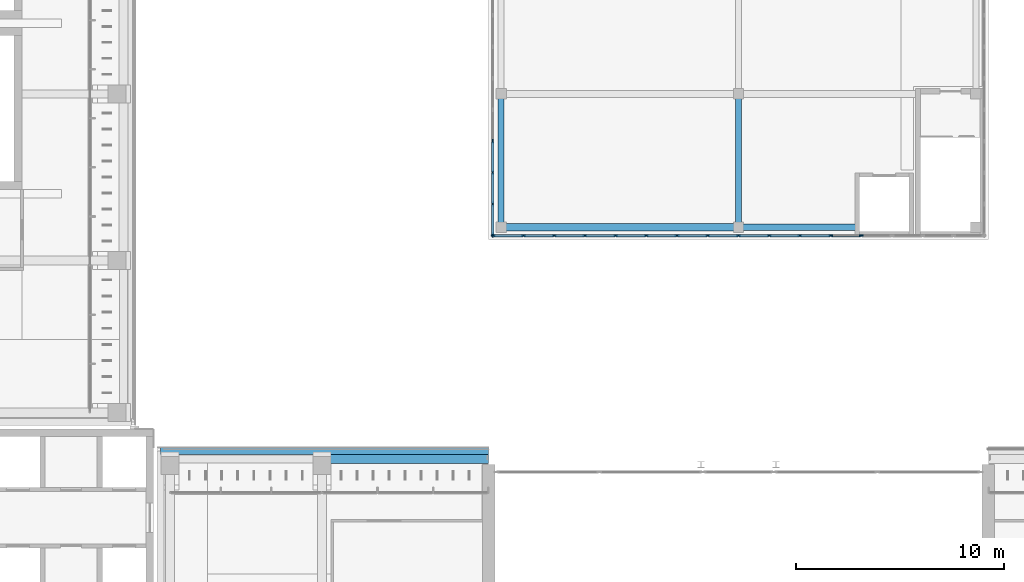
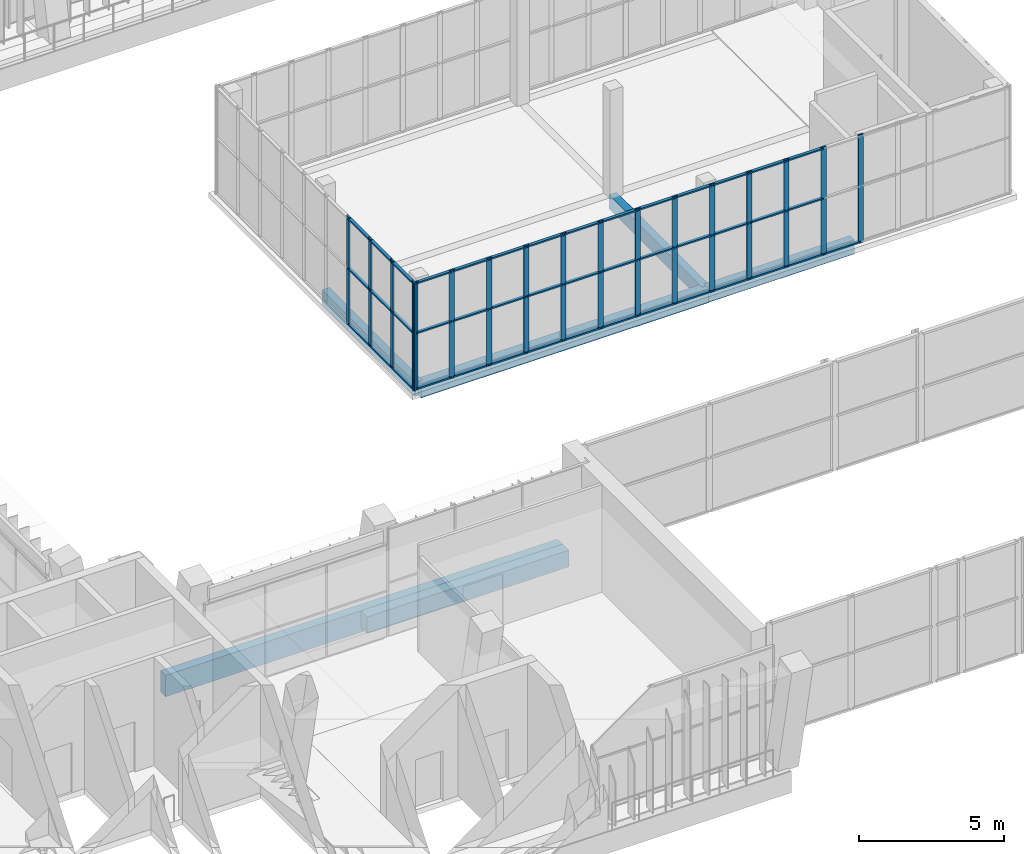
# One storey, part 26 of 92: 60 members, 6 beams, 2 elements without a shape of their own.
"""IFC4 building model written with IfcOpenShell, lengths in metres."""

import ifcopenshell
import ifcopenshell.guid

model = None  # the IFC model being written
_history = None  # IfcOwnerHistory: only IFC2X3 demands one
_inside = {}  # id of a spatial element -> (the spatial element, [elements in it])
_under = {}  # id of a project, library or spatial element -> (it, [spatial elements below it])
_declared = {}  # id of a project -> (the project, [libraries it declares])
_typed = {}  # id of a type object -> (the type object, [elements of that type])
_made_of = {}  # id of a material, layer set ... -> (it, [elements and type objects made of it])


def new_model(schema):
    """Start an empty IFC model of exactly this schema.

    Asked for "IFC4X3", IfcOpenShell would pick the latest addendum, in which some entities
    have other attributes; the version numbers below select the first issue.
    IFC2X3 requires an IfcOwnerHistory on every rooted entity: one is made here for all.
    """
    global model, _history
    if schema == "IFC4X3":
        model = ifcopenshell.file(schema_version=(4, 3, 0, 0))
    else:
        model = ifcopenshell.file(schema=schema)
    _inside.clear()
    _under.clear()
    _declared.clear()
    _typed.clear()
    _made_of.clear()
    _history = None
    if model.schema == "IFC2X3":
        org = make("IfcOrganization", Name="unknown")
        user = make(
            "IfcPersonAndOrganization",
            ThePerson=make("IfcPerson", FamilyName="unknown"),
            TheOrganization=org,
        )
        app = make(
            "IfcApplication",
            ApplicationDeveloper=org,
            Version="unknown",
            ApplicationFullName="unknown",
            ApplicationIdentifier="unknown",
        )
        _history = make(
            "IfcOwnerHistory",
            OwningUser=user,
            OwningApplication=app,
            ChangeAction="ADDED",
            CreationDate=0,
        )
    return model


def make(cls, **values):
    """One entity of the class cls with the attributes given. An attribute that is None is left unset."""
    return model.create_entity(
        cls, **{name: value for name, value in values.items() if value is not None}
    )


def rooted(cls, **values):
    """An entity with a GlobalId (a new one), such as an element, a storey or a relation."""
    return make(cls, GlobalId=ifcopenshell.guid.new(), OwnerHistory=_history, **values)


def si_unit(unit_type, name, prefix=None):
    """IfcSIUnit, for example si_unit("LENGTHUNIT", "METRE", prefix="MILLI")."""
    return make("IfcSIUnit", UnitType=unit_type, Prefix=prefix, Name=name)


def assignment(units):
    """IfcUnitAssignment: the units of a project."""
    return None if units is None else make("IfcUnitAssignment", Units=units)


def point(xyz):
    """IfcCartesianPoint."""
    return None if xyz is None else make("IfcCartesianPoint", Coordinates=xyz)


def direction(xyz):
    """IfcDirection."""
    return None if xyz is None else make("IfcDirection", DirectionRatios=xyz)


def frame(location, z_axis=None, x_axis=None):
    """IfcAxis2Placement3D, a coordinate frame: its origin and axes. An axis left out is left unset."""
    return make(
        "IfcAxis2Placement3D",
        Location=point(location),
        Axis=direction(z_axis),
        RefDirection=direction(x_axis),
    )


def frame_2d(location, x_axis=None):
    """IfcAxis2Placement2D, a coordinate frame in the plane: its origin and x axis."""
    return make(
        "IfcAxis2Placement2D", Location=point(location), RefDirection=direction(x_axis)
    )


def origin():
    """The frame at (0, 0, 0) with its axes left unset."""
    return frame((0.0, 0.0, 0.0))


def origin_2d():
    """The frame at (0, 0) in the plane with its x axis left unset."""
    return frame_2d((0.0, 0.0))


def place(relative_to, where):
    """IfcLocalPlacement: puts the frame where relative to a parent placement (None: the world)."""
    return make(
        "IfcLocalPlacement", PlacementRelTo=relative_to, RelativePlacement=where
    )


def context(
    kind, dimensions, precision=None, world=None, true_north=None, identifier=None
):
    """IfcGeometricRepresentationContext, for example the 3D "Model" context."""
    return make(
        "IfcGeometricRepresentationContext",
        ContextIdentifier=identifier,
        ContextType=kind,
        CoordinateSpaceDimension=dimensions,
        Precision=precision,
        WorldCoordinateSystem=world,
        TrueNorth=true_north,
    )


def subcontext(parent, identifier, kind, view, scale=None):
    """IfcGeometricRepresentationSubContext, for example "Body" below "Model"."""
    return make(
        "IfcGeometricRepresentationSubContext",
        ContextIdentifier=identifier,
        ContextType=kind,
        ParentContext=parent,
        TargetScale=scale,
        TargetView=view,
    )


def project(units=None, contexts=None):
    """IfcProject with its units and contexts."""
    return rooted(
        "IfcProject",
        Name="project",
        RepresentationContexts=contexts,
        UnitsInContext=assignment(units),
    )


def spatial(cls, under=None, at=None, **own):
    """A site, building, storey or space (cls), placed at a placement, below another one or the project."""
    s = rooted(cls, ObjectPlacement=at, **own)
    if under is not None:
        _under.setdefault(under.id(), (under, []))[1].append(s)
    return s


def profile(cls, at=None, kind="AREA", **sizes):
    """A parametric profile (cls). Its sizes go by their IFC names, for example OverallWidth=200.0."""
    return make(cls, ProfileType=kind, Position=at, **sizes)


def rectangle(**sizes):
    """IfcRectangleProfileDef."""
    return profile("IfcRectangleProfileDef", **sizes)


def extrude(swept, where, along, depth):
    """IfcExtrudedAreaSolid: the profile swept, set in the frame where, extruded along a direction by depth."""
    return make(
        "IfcExtrudedAreaSolid",
        SweptArea=swept,
        Position=where,
        ExtrudedDirection=direction(along),
        Depth=depth,
    )


def shape(context_of_items, identifier, shape_type, items):
    """IfcShapeRepresentation: the items that make up one representation, for example the "Body"."""
    return make(
        "IfcShapeRepresentation",
        ContextOfItems=context_of_items,
        RepresentationIdentifier=identifier,
        RepresentationType=shape_type,
        Items=items,
    )


def material(Name=None, Category=None):
    """IfcMaterial."""
    return make("IfcMaterial", Name=Name, Category=Category)


def layer(
    of_material, thickness, ventilated=None, Name=None, Category=None, Priority=None
):
    """IfcMaterialLayer: one layer of a wall or slab, of a material (None: an air gap)."""
    return make(
        "IfcMaterialLayer",
        Material=of_material,
        LayerThickness=thickness,
        IsVentilated=ventilated,
        Name=Name,
        Category=Category,
        Priority=Priority,
    )


def layer_set(layers, Name=None):
    """IfcMaterialLayerSet."""
    return make("IfcMaterialLayerSet", MaterialLayers=layers, LayerSetName=Name)


def material_profile(
    of_material, cross_section, Name=None, Category=None, Priority=None
):
    """IfcMaterialProfile: a cross section and its material."""
    return make(
        "IfcMaterialProfile",
        Name=Name,
        Material=of_material,
        Profile=cross_section,
        Priority=Priority,
        Category=Category,
    )


def profile_set(profiles, Name=None, composite=None):
    """IfcMaterialProfileSet."""
    return make(
        "IfcMaterialProfileSet",
        Name=Name,
        MaterialProfiles=profiles,
        CompositeProfile=composite,
    )


def made_of(thing, what):
    """Note that an element or type object is made of a material, layer set ...; save() writes the relation."""
    if what is not None:
        _made_of.setdefault(what.id(), (what, []))[1].append(thing)
    return thing


def type_object(cls, material=None, **own):
    """A type object (cls), such as IfcWallType, which elements share."""
    return made_of(rooted(cls, **own), material)


def element(
    cls,
    number,
    at=None,
    inside=None,
    cuts=None,
    type_object=None,
    material=None,
    context=None,
    identifier="Body",
    shape_type=None,
    held_by="IfcProductDefinitionShape",
    body=None,
    shapes=None,
    **own,
):
    """One element of the class cls, such as IfcWall. Its Tag is "e" and its number.

    at: its placement. inside: the storey or other place that contains it. cuts: it is an
    opening in that element (IfcRelVoidsElement). A single representation is given by context,
    identifier, shape_type and body (its items); several are given by shapes. held_by: the class
    of the entity that holds the representations. save() writes the other relations.
    """
    e = rooted(cls, Tag="e%d" % number, ObjectPlacement=at, **own)
    if body is not None:
        shapes = [shape(context, identifier, shape_type, body)]
    if shapes is not None:
        e.Representation = make(held_by, Representations=shapes)
    if inside is not None:
        _inside.setdefault(inside.id(), (inside, []))[1].append(e)
    if cuts is not None:
        rooted(
            "IfcRelVoidsElement", RelatingBuildingElement=cuts, RelatedOpeningElement=e
        )
    if type_object is not None:
        _typed.setdefault(type_object.id(), (type_object, []))[1].append(e)
    return made_of(e, material)


def aggregate(whole, parts):
    """IfcRelAggregates: a whole, such as a stair, and the parts it consists of."""
    return rooted("IfcRelAggregates", RelatingObject=whole, RelatedObjects=parts)


def save(model, path):
    """Write the relations noted so far, then the file.

    IfcRelAggregates (storeys below a building ...), IfcRelContainedInSpatialStructure (elements
    in a storey), IfcRelDefinesByType, IfcRelAssociatesMaterial and IfcRelDeclares: one each for
    every whole, place, type object, material and project.
    """
    for whole, parts in _under.values():
        aggregate(whole, parts)
    for where, things in _inside.values():
        rooted(
            "IfcRelContainedInSpatialStructure",
            RelatedElements=things,
            RelatingStructure=where,
        )
    for kind, things in _typed.values():
        rooted("IfcRelDefinesByType", RelatedObjects=things, RelatingType=kind)
    for what, things in _made_of.values():
        rooted("IfcRelAssociatesMaterial", RelatedObjects=things, RelatingMaterial=what)
    for by, libraries in _declared.values():
        rooted("IfcRelDeclares", RelatingContext=by, RelatedDefinitions=libraries)
    model.write(path)


model = new_model("IFC4")

# Units and contexts
model_context = context("Model", 3, precision=1e-05, world=origin(), true_north=direction((0.0, 1.0)))
body_context = subcontext(model_context, "Body", "Model", "MODEL_VIEW")
ifc_project = project(units=[si_unit("LENGTHUNIT", "METRE"), si_unit("AREAUNIT", "SQUARE_METRE"), si_unit("VOLUMEUNIT", "CUBIC_METRE"), si_unit("PLANEANGLEUNIT", "RADIAN"), si_unit("MASSUNIT", "GRAM", prefix="KILO")], contexts=[model_context])

# Site, building, storey
site_placement = place(None, origin())
site = spatial("IfcSite", under=ifc_project, at=site_placement, CompositionType="ELEMENT")
building_placement = place(site_placement, origin())
building = spatial("IfcBuilding", under=site, at=building_placement, Name="Lantern Court Media Centre", CompositionType="ELEMENT")
storey_placement = place(building_placement, frame((0.0, 0.0, 4.800048828125)))
storey = spatial("IfcBuildingStorey", under=building, at=storey_placement, Name="L01", CompositionType="ELEMENT", Elevation=4.800048828125)

# Curtain wall, members
ifc_material_1 = material(Name="Aluminium and glass", Category="aluminium")
ifc_layer = layer(ifc_material_1, 0.14990234375)
ifc_layer_set = layer_set([ifc_layer], Name="Aluminium and glass")
curtain_wall_type = type_object("IfcCurtainWallType", Name="Hall lancet glazing", PredefinedType="NOTDEFINED", material=ifc_layer_set)
curtain_wall_1_placement = place(storey_placement, origin())
curtain_wall_1 = element("IfcCurtainWall", 1, at=curtain_wall_1_placement, inside=storey, type_object=curtain_wall_type, Name="Press box glazing S 3", PredefinedType="NOTDEFINED")
ifc_material_2 = material(Name="Aluminium, anodised", Category="aluminium")
ifc_material_profile_1 = material_profile(ifc_material_2, rectangle(XDim=0.06005859375, YDim=0.199951171875, at=origin_2d()), Name="HM")
ifc_profile_set_1 = profile_set([ifc_material_profile_1], Name="Aluminium, anodised")
member_type_1 = type_object("IfcMemberType", Name="HM", PredefinedType="MULLION", material=ifc_profile_set_1)
member_1_placement = place(storey_placement, frame((40.22998046875, 73.199951171875, 0.0), z_axis=(0.0, 0.0, 1.0), x_axis=(0.0, 1.0, 0.0)))
member_1 = element("IfcMember", 2, at=member_1_placement, type_object=member_type_1, Name="HCW-PS3 mullion 1", PredefinedType="MULLION", context=body_context, shape_type="SweptSolid", body=[
    extrude(rectangle(XDim=0.06005859375, YDim=0.199951171875, at=origin_2d()), origin(), (0.0, 0.0, 1.0), 4.550048828125),
])
member_2_placement = place(storey_placement, frame((41.675048828125, 73.199951171875, 0.0), z_axis=(0.0, 0.0, 1.0), x_axis=(0.0, 1.0, 0.0)))
member_2 = element("IfcMember", 3, at=member_2_placement, type_object=member_type_1, Name="HCW-PS3 mullion 2", PredefinedType="MULLION", context=body_context, shape_type="SweptSolid", body=[
    extrude(rectangle(XDim=0.06005859375, YDim=0.199951171875, at=origin_2d()), origin(), (0.0, 0.0, 1.0), 4.550048828125),
])
member_3_placement = place(storey_placement, frame((43.14990234375, 73.199951171875, 0.0), z_axis=(0.0, 0.0, 1.0), x_axis=(0.0, 1.0, 0.0)))
member_3 = element("IfcMember", 4, at=member_3_placement, type_object=member_type_1, Name="HCW-PS3 mullion 3", PredefinedType="MULLION", context=body_context, shape_type="SweptSolid", body=[
    extrude(rectangle(XDim=0.06005859375, YDim=0.199951171875, at=origin_2d()), origin(), (0.0, 0.0, 1.0), 4.550048828125),
])
member_4_placement = place(storey_placement, frame((44.625, 73.199951171875, 0.0), z_axis=(0.0, 0.0, 1.0), x_axis=(0.0, 1.0, 0.0)))
member_4 = element("IfcMember", 5, at=member_4_placement, type_object=member_type_1, Name="HCW-PS3 mullion 4", PredefinedType="MULLION", context=body_context, shape_type="SweptSolid", body=[
    extrude(rectangle(XDim=0.06005859375, YDim=0.199951171875, at=origin_2d()), origin(), (0.0, 0.0, 1.0), 4.550048828125),
])
member_5_placement = place(storey_placement, frame((46.10009765625, 73.199951171875, 0.0), z_axis=(0.0, 0.0, 1.0), x_axis=(0.0, 1.0, 0.0)))
member_5 = element("IfcMember", 6, at=member_5_placement, type_object=member_type_1, Name="HCW-PS3 mullion 5", PredefinedType="MULLION", context=body_context, shape_type="SweptSolid", body=[
    extrude(rectangle(XDim=0.06005859375, YDim=0.199951171875, at=origin_2d()), origin(), (0.0, 0.0, 1.0), 4.550048828125),
])
member_6_placement = place(storey_placement, frame((47.574951171875, 73.199951171875, 0.0), z_axis=(0.0, 0.0, 1.0), x_axis=(0.0, 1.0, 0.0)))
member_6 = element("IfcMember", 7, at=member_6_placement, type_object=member_type_1, Name="HCW-PS3 mullion 6", PredefinedType="MULLION", context=body_context, shape_type="SweptSolid", body=[
    extrude(rectangle(XDim=0.06005859375, YDim=0.199951171875, at=origin_2d()), origin(), (0.0, 0.0, 1.0), 4.550048828125),
])
member_7_placement = place(storey_placement, frame((49.050048828125, 73.199951171875, 0.0), z_axis=(0.0, 0.0, 1.0), x_axis=(0.0, 1.0, 0.0)))
member_7 = element("IfcMember", 8, at=member_7_placement, type_object=member_type_1, Name="HCW-PS3 mullion 7", PredefinedType="MULLION", context=body_context, shape_type="SweptSolid", body=[
    extrude(rectangle(XDim=0.06005859375, YDim=0.199951171875, at=origin_2d()), origin(), (0.0, 0.0, 1.0), 4.550048828125),
])
member_8_placement = place(storey_placement, frame((50.52490234375, 73.199951171875, 0.0), z_axis=(0.0, 0.0, 1.0), x_axis=(0.0, 1.0, 0.0)))
member_8 = element("IfcMember", 9, at=member_8_placement, type_object=member_type_1, Name="HCW-PS3 mullion 8", PredefinedType="MULLION", context=body_context, shape_type="SweptSolid", body=[
    extrude(rectangle(XDim=0.06005859375, YDim=0.199951171875, at=origin_2d()), origin(), (0.0, 0.0, 1.0), 4.550048828125),
])
member_9_placement = place(storey_placement, frame((52.0, 73.199951171875, 0.0), z_axis=(0.0, 0.0, 1.0), x_axis=(0.0, 1.0, 0.0)))
member_9 = element("IfcMember", 10, at=member_9_placement, type_object=member_type_1, Name="HCW-PS3 mullion 9", PredefinedType="MULLION", context=body_context, shape_type="SweptSolid", body=[
    extrude(rectangle(XDim=0.06005859375, YDim=0.199951171875, at=origin_2d()), origin(), (0.0, 0.0, 1.0), 4.550048828125),
])
member_10_placement = place(storey_placement, frame((53.47509765625, 73.199951171875, 0.0), z_axis=(0.0, 0.0, 1.0), x_axis=(0.0, 1.0, 0.0)))
member_10 = element("IfcMember", 11, at=member_10_placement, type_object=member_type_1, Name="HCW-PS3 mullion 10", PredefinedType="MULLION", context=body_context, shape_type="SweptSolid", body=[
    extrude(rectangle(XDim=0.06005859375, YDim=0.199951171875, at=origin_2d()), origin(), (0.0, 0.0, 1.0), 4.550048828125),
])
member_11_placement = place(storey_placement, frame((54.949951171875, 73.199951171875, 0.0), z_axis=(0.0, 0.0, 1.0), x_axis=(0.0, 1.0, 0.0)))
member_11 = element("IfcMember", 12, at=member_11_placement, type_object=member_type_1, Name="HCW-PS3 mullion 11", PredefinedType="MULLION", context=body_context, shape_type="SweptSolid", body=[
    extrude(rectangle(XDim=0.06005859375, YDim=0.199951171875, at=origin_2d()), origin(), (0.0, 0.0, 1.0), 4.550048828125),
])
member_12_placement = place(storey_placement, frame((56.425048828125, 73.199951171875, 0.0), z_axis=(0.0, 0.0, 1.0), x_axis=(0.0, 1.0, 0.0)))
member_12 = element("IfcMember", 13, at=member_12_placement, type_object=member_type_1, Name="HCW-PS3 mullion 12", PredefinedType="MULLION", context=body_context, shape_type="SweptSolid", body=[
    extrude(rectangle(XDim=0.06005859375, YDim=0.199951171875, at=origin_2d()), origin(), (0.0, 0.0, 1.0), 4.550048828125),
])
member_13_placement = place(storey_placement, frame((57.89990234375, 73.199951171875, 0.0), z_axis=(0.0, 0.0, 1.0), x_axis=(0.0, 1.0, 0.0)))
member_13 = element("IfcMember", 14, at=member_13_placement, type_object=member_type_1, Name="HCW-PS3 mullion 13", PredefinedType="MULLION", context=body_context, shape_type="SweptSolid", body=[
    extrude(rectangle(XDim=0.06005859375, YDim=0.199951171875, at=origin_2d()), origin(), (0.0, 0.0, 1.0), 4.550048828125),
])

curtain_wall_2_placement = place(storey_placement, origin())
curtain_wall_2 = element("IfcCurtainWall", 15, at=curtain_wall_2_placement, inside=storey, type_object=curtain_wall_type, Name="Press box glazing W 3", PredefinedType="NOTDEFINED")
member_14_placement = place(storey_placement, frame((40.199951171875, 73.22998046875, 0.0), z_axis=(0.0, 0.0, 1.0), x_axis=(-1.0, 0.0, 0.0)))
member_14 = element("IfcMember", 16, at=member_14_placement, type_object=member_type_1, Name="HCW-PW3 mullion 1", PredefinedType="MULLION", context=body_context, shape_type="SweptSolid", body=[
    extrude(rectangle(XDim=0.06005859375, YDim=0.199951171875, at=origin_2d()), origin(), (0.0, 0.0, 1.0), 4.550048828125),
])
member_15_placement = place(storey_placement, frame((40.199951171875, 74.711181640625, 0.0), z_axis=(0.0, 0.0, 1.0), x_axis=(-1.0, 0.0, 0.0)))
member_15 = element("IfcMember", 17, at=member_15_placement, type_object=member_type_1, Name="HCW-PW3 mullion 2", PredefinedType="MULLION", context=body_context, shape_type="SweptSolid", body=[
    extrude(rectangle(XDim=0.06005859375, YDim=0.199951171875, at=origin_2d()), origin(), (0.0, 0.0, 1.0), 4.550048828125),
])
member_16_placement = place(storey_placement, frame((40.199951171875, 76.22216796875, 0.0), z_axis=(0.0, 0.0, 1.0), x_axis=(-1.0, 0.0, 0.0)))
member_16 = element("IfcMember", 18, at=member_16_placement, type_object=member_type_1, Name="HCW-PW3 mullion 3", PredefinedType="MULLION", context=body_context, shape_type="SweptSolid", body=[
    extrude(rectangle(XDim=0.06005859375, YDim=0.199951171875, at=origin_2d()), origin(), (0.0, 0.0, 1.0), 4.550048828125),
])
member_17_placement = place(storey_placement, frame((40.199951171875, 77.7333984375, 0.0), z_axis=(0.0, 0.0, 1.0), x_axis=(-1.0, 0.0, 0.0)))
member_17 = element("IfcMember", 19, at=member_17_placement, type_object=member_type_1, Name="HCW-PW3 mullion 4", PredefinedType="MULLION", context=body_context, shape_type="SweptSolid", body=[
    extrude(rectangle(XDim=0.06005859375, YDim=0.199951171875, at=origin_2d()), origin(), (0.0, 0.0, 1.0), 4.550048828125),
])

# Member
ifc_material_profile_2 = material_profile(ifc_material_2, rectangle(XDim=0.1201171875, YDim=0.06005859375, at=origin_2d()), Name="HT")
ifc_profile_set_2 = profile_set([ifc_material_profile_2], Name="Aluminium, anodised")
member_type_2 = type_object("IfcMemberType", Name="HT", PredefinedType="USERDEFINED", material=ifc_profile_set_2)
member_18_placement = place(storey_placement, frame((40.260009765625, 73.199951171875, 0.06005859375), z_axis=(1.0, 0.0, 0.0), x_axis=(0.0, 1.0, 0.0)))
member_18 = element("IfcMember", 20, at=member_18_placement, type_object=member_type_2, Name="HCW-PS3 transom 1.1", ObjectType="TRANSOM", PredefinedType="USERDEFINED", context=body_context, shape_type="SweptSolid", body=[
    extrude(rectangle(XDim=0.1201171875, YDim=0.06005859375, at=origin_2d()), origin(), (0.0, 0.0, 1.0), 1.385009765625),
])

member_19_placement = place(storey_placement, frame((40.260009765625, 73.199951171875, 2.39990234375), z_axis=(1.0, 0.0, 0.0), x_axis=(0.0, 1.0, 0.0)))
member_19 = element("IfcMember", 21, at=member_19_placement, type_object=member_type_2, Name="HCW-PS3 transom 1.2", ObjectType="TRANSOM", PredefinedType="USERDEFINED", context=body_context, shape_type="SweptSolid", body=[
    extrude(rectangle(XDim=0.1201171875, YDim=0.06005859375, at=origin_2d()), origin(), (0.0, 0.0, 1.0), 1.385009765625),
])

member_20_placement = place(storey_placement, frame((40.260009765625, 73.199951171875, 4.489990234375), z_axis=(1.0, 0.0, 0.0), x_axis=(0.0, 1.0, 0.0)))
member_20 = element("IfcMember", 22, at=member_20_placement, type_object=member_type_2, Name="HCW-PS3 transom 1.3", ObjectType="TRANSOM", PredefinedType="USERDEFINED", context=body_context, shape_type="SweptSolid", body=[
    extrude(rectangle(XDim=0.1201171875, YDim=0.06005859375, at=origin_2d()), origin(), (0.0, 0.0, 1.0), 1.385009765625),
])

member_21_placement = place(storey_placement, frame((41.705078125, 73.199951171875, 0.06005859375), z_axis=(1.0, 0.0, 0.0), x_axis=(0.0, 1.0, 0.0)))
member_21 = element("IfcMember", 23, at=member_21_placement, type_object=member_type_2, Name="HCW-PS3 transom 2.1", ObjectType="TRANSOM", PredefinedType="USERDEFINED", context=body_context, shape_type="SweptSolid", body=[
    extrude(rectangle(XDim=0.1201171875, YDim=0.06005859375, at=origin_2d()), origin(), (0.0, 0.0, 1.0), 1.4150390625),
])

member_22_placement = place(storey_placement, frame((41.705078125, 73.199951171875, 2.39990234375), z_axis=(1.0, 0.0, 0.0), x_axis=(0.0, 1.0, 0.0)))
member_22 = element("IfcMember", 24, at=member_22_placement, type_object=member_type_2, Name="HCW-PS3 transom 2.2", ObjectType="TRANSOM", PredefinedType="USERDEFINED", context=body_context, shape_type="SweptSolid", body=[
    extrude(rectangle(XDim=0.1201171875, YDim=0.06005859375, at=origin_2d()), origin(), (0.0, 0.0, 1.0), 1.4150390625),
])

member_23_placement = place(storey_placement, frame((41.705078125, 73.199951171875, 4.489990234375), z_axis=(1.0, 0.0, 0.0), x_axis=(0.0, 1.0, 0.0)))
member_23 = element("IfcMember", 25, at=member_23_placement, type_object=member_type_2, Name="HCW-PS3 transom 2.3", ObjectType="TRANSOM", PredefinedType="USERDEFINED", context=body_context, shape_type="SweptSolid", body=[
    extrude(rectangle(XDim=0.1201171875, YDim=0.06005859375, at=origin_2d()), origin(), (0.0, 0.0, 1.0), 1.4150390625),
])

member_24_placement = place(storey_placement, frame((43.179931640625, 73.199951171875, 0.06005859375), z_axis=(1.0, 0.0, 0.0), x_axis=(0.0, 1.0, 0.0)))
member_24 = element("IfcMember", 26, at=member_24_placement, type_object=member_type_2, Name="HCW-PS3 transom 3.1", ObjectType="TRANSOM", PredefinedType="USERDEFINED", context=body_context, shape_type="SweptSolid", body=[
    extrude(rectangle(XDim=0.1201171875, YDim=0.06005859375, at=origin_2d()), origin(), (0.0, 0.0, 1.0), 1.4150390625),
])

member_25_placement = place(storey_placement, frame((43.179931640625, 73.199951171875, 2.39990234375), z_axis=(1.0, 0.0, 0.0), x_axis=(0.0, 1.0, 0.0)))
member_25 = element("IfcMember", 27, at=member_25_placement, type_object=member_type_2, Name="HCW-PS3 transom 3.2", ObjectType="TRANSOM", PredefinedType="USERDEFINED", context=body_context, shape_type="SweptSolid", body=[
    extrude(rectangle(XDim=0.1201171875, YDim=0.06005859375, at=origin_2d()), origin(), (0.0, 0.0, 1.0), 1.4150390625),
])

member_26_placement = place(storey_placement, frame((43.179931640625, 73.199951171875, 4.489990234375), z_axis=(1.0, 0.0, 0.0), x_axis=(0.0, 1.0, 0.0)))
member_26 = element("IfcMember", 28, at=member_26_placement, type_object=member_type_2, Name="HCW-PS3 transom 3.3", ObjectType="TRANSOM", PredefinedType="USERDEFINED", context=body_context, shape_type="SweptSolid", body=[
    extrude(rectangle(XDim=0.1201171875, YDim=0.06005859375, at=origin_2d()), origin(), (0.0, 0.0, 1.0), 1.4150390625),
])

member_27_placement = place(storey_placement, frame((44.655029296875, 73.199951171875, 0.06005859375), z_axis=(1.0, 0.0, 0.0), x_axis=(0.0, 1.0, 0.0)))
member_27 = element("IfcMember", 29, at=member_27_placement, type_object=member_type_2, Name="HCW-PS3 transom 4.1", ObjectType="TRANSOM", PredefinedType="USERDEFINED", context=body_context, shape_type="SweptSolid", body=[
    extrude(rectangle(XDim=0.1201171875, YDim=0.06005859375, at=origin_2d()), origin(), (0.0, 0.0, 1.0), 1.4150390625),
])

member_28_placement = place(storey_placement, frame((44.655029296875, 73.199951171875, 2.39990234375), z_axis=(1.0, 0.0, 0.0), x_axis=(0.0, 1.0, 0.0)))
member_28 = element("IfcMember", 30, at=member_28_placement, type_object=member_type_2, Name="HCW-PS3 transom 4.2", ObjectType="TRANSOM", PredefinedType="USERDEFINED", context=body_context, shape_type="SweptSolid", body=[
    extrude(rectangle(XDim=0.1201171875, YDim=0.06005859375, at=origin_2d()), origin(), (0.0, 0.0, 1.0), 1.4150390625),
])

member_29_placement = place(storey_placement, frame((44.655029296875, 73.199951171875, 4.489990234375), z_axis=(1.0, 0.0, 0.0), x_axis=(0.0, 1.0, 0.0)))
member_29 = element("IfcMember", 31, at=member_29_placement, type_object=member_type_2, Name="HCW-PS3 transom 4.3", ObjectType="TRANSOM", PredefinedType="USERDEFINED", context=body_context, shape_type="SweptSolid", body=[
    extrude(rectangle(XDim=0.1201171875, YDim=0.06005859375, at=origin_2d()), origin(), (0.0, 0.0, 1.0), 1.4150390625),
])

member_30_placement = place(storey_placement, frame((46.1298828125, 73.199951171875, 0.06005859375), z_axis=(1.0, 0.0, 0.0), x_axis=(0.0, 1.0, 0.0)))
member_30 = element("IfcMember", 32, at=member_30_placement, type_object=member_type_2, Name="HCW-PS3 transom 5.1", ObjectType="TRANSOM", PredefinedType="USERDEFINED", context=body_context, shape_type="SweptSolid", body=[
    extrude(rectangle(XDim=0.1201171875, YDim=0.06005859375, at=origin_2d()), origin(), (0.0, 0.0, 1.0), 1.4150390625),
])

member_31_placement = place(storey_placement, frame((46.1298828125, 73.199951171875, 2.39990234375), z_axis=(1.0, 0.0, 0.0), x_axis=(0.0, 1.0, 0.0)))
member_31 = element("IfcMember", 33, at=member_31_placement, type_object=member_type_2, Name="HCW-PS3 transom 5.2", ObjectType="TRANSOM", PredefinedType="USERDEFINED", context=body_context, shape_type="SweptSolid", body=[
    extrude(rectangle(XDim=0.1201171875, YDim=0.06005859375, at=origin_2d()), origin(), (0.0, 0.0, 1.0), 1.4150390625),
])

member_32_placement = place(storey_placement, frame((46.1298828125, 73.199951171875, 4.489990234375), z_axis=(1.0, 0.0, 0.0), x_axis=(0.0, 1.0, 0.0)))
member_32 = element("IfcMember", 34, at=member_32_placement, type_object=member_type_2, Name="HCW-PS3 transom 5.3", ObjectType="TRANSOM", PredefinedType="USERDEFINED", context=body_context, shape_type="SweptSolid", body=[
    extrude(rectangle(XDim=0.1201171875, YDim=0.06005859375, at=origin_2d()), origin(), (0.0, 0.0, 1.0), 1.4150390625),
])

member_33_placement = place(storey_placement, frame((47.60498046875, 73.199951171875, 0.06005859375), z_axis=(1.0, 0.0, 0.0), x_axis=(0.0, 1.0, 0.0)))
member_33 = element("IfcMember", 35, at=member_33_placement, type_object=member_type_2, Name="HCW-PS3 transom 6.1", ObjectType="TRANSOM", PredefinedType="USERDEFINED", context=body_context, shape_type="SweptSolid", body=[
    extrude(rectangle(XDim=0.1201171875, YDim=0.06005859375, at=origin_2d()), origin(), (0.0, 0.0, 1.0), 1.4150390625),
])

member_34_placement = place(storey_placement, frame((47.60498046875, 73.199951171875, 2.39990234375), z_axis=(1.0, 0.0, 0.0), x_axis=(0.0, 1.0, 0.0)))
member_34 = element("IfcMember", 36, at=member_34_placement, type_object=member_type_2, Name="HCW-PS3 transom 6.2", ObjectType="TRANSOM", PredefinedType="USERDEFINED", context=body_context, shape_type="SweptSolid", body=[
    extrude(rectangle(XDim=0.1201171875, YDim=0.06005859375, at=origin_2d()), origin(), (0.0, 0.0, 1.0), 1.4150390625),
])

member_35_placement = place(storey_placement, frame((47.60498046875, 73.199951171875, 4.489990234375), z_axis=(1.0, 0.0, 0.0), x_axis=(0.0, 1.0, 0.0)))
member_35 = element("IfcMember", 37, at=member_35_placement, type_object=member_type_2, Name="HCW-PS3 transom 6.3", ObjectType="TRANSOM", PredefinedType="USERDEFINED", context=body_context, shape_type="SweptSolid", body=[
    extrude(rectangle(XDim=0.1201171875, YDim=0.06005859375, at=origin_2d()), origin(), (0.0, 0.0, 1.0), 1.4150390625),
])

member_36_placement = place(storey_placement, frame((49.080078125, 73.199951171875, 0.06005859375), z_axis=(1.0, 0.0, 0.0), x_axis=(0.0, 1.0, 0.0)))
member_36 = element("IfcMember", 38, at=member_36_placement, type_object=member_type_2, Name="HCW-PS3 transom 7.1", ObjectType="TRANSOM", PredefinedType="USERDEFINED", context=body_context, shape_type="SweptSolid", body=[
    extrude(rectangle(XDim=0.1201171875, YDim=0.06005859375, at=origin_2d()), origin(), (0.0, 0.0, 1.0), 1.4150390625),
])

member_37_placement = place(storey_placement, frame((49.080078125, 73.199951171875, 2.39990234375), z_axis=(1.0, 0.0, 0.0), x_axis=(0.0, 1.0, 0.0)))
member_37 = element("IfcMember", 39, at=member_37_placement, type_object=member_type_2, Name="HCW-PS3 transom 7.2", ObjectType="TRANSOM", PredefinedType="USERDEFINED", context=body_context, shape_type="SweptSolid", body=[
    extrude(rectangle(XDim=0.1201171875, YDim=0.06005859375, at=origin_2d()), origin(), (0.0, 0.0, 1.0), 1.4150390625),
])

member_38_placement = place(storey_placement, frame((49.080078125, 73.199951171875, 4.489990234375), z_axis=(1.0, 0.0, 0.0), x_axis=(0.0, 1.0, 0.0)))
member_38 = element("IfcMember", 40, at=member_38_placement, type_object=member_type_2, Name="HCW-PS3 transom 7.3", ObjectType="TRANSOM", PredefinedType="USERDEFINED", context=body_context, shape_type="SweptSolid", body=[
    extrude(rectangle(XDim=0.1201171875, YDim=0.06005859375, at=origin_2d()), origin(), (0.0, 0.0, 1.0), 1.4150390625),
])

member_39_placement = place(storey_placement, frame((50.554931640625, 73.199951171875, 0.06005859375), z_axis=(1.0, 0.0, 0.0), x_axis=(0.0, 1.0, 0.0)))
member_39 = element("IfcMember", 41, at=member_39_placement, type_object=member_type_2, Name="HCW-PS3 transom 8.1", ObjectType="TRANSOM", PredefinedType="USERDEFINED", context=body_context, shape_type="SweptSolid", body=[
    extrude(rectangle(XDim=0.1201171875, YDim=0.06005859375, at=origin_2d()), origin(), (0.0, 0.0, 1.0), 1.4150390625),
])

member_40_placement = place(storey_placement, frame((50.554931640625, 73.199951171875, 2.39990234375), z_axis=(1.0, 0.0, 0.0), x_axis=(0.0, 1.0, 0.0)))
member_40 = element("IfcMember", 42, at=member_40_placement, type_object=member_type_2, Name="HCW-PS3 transom 8.2", ObjectType="TRANSOM", PredefinedType="USERDEFINED", context=body_context, shape_type="SweptSolid", body=[
    extrude(rectangle(XDim=0.1201171875, YDim=0.06005859375, at=origin_2d()), origin(), (0.0, 0.0, 1.0), 1.4150390625),
])

member_41_placement = place(storey_placement, frame((50.554931640625, 73.199951171875, 4.489990234375), z_axis=(1.0, 0.0, 0.0), x_axis=(0.0, 1.0, 0.0)))
member_41 = element("IfcMember", 43, at=member_41_placement, type_object=member_type_2, Name="HCW-PS3 transom 8.3", ObjectType="TRANSOM", PredefinedType="USERDEFINED", context=body_context, shape_type="SweptSolid", body=[
    extrude(rectangle(XDim=0.1201171875, YDim=0.06005859375, at=origin_2d()), origin(), (0.0, 0.0, 1.0), 1.4150390625),
])

member_42_placement = place(storey_placement, frame((52.030029296875, 73.199951171875, 0.06005859375), z_axis=(1.0, 0.0, 0.0), x_axis=(0.0, 1.0, 0.0)))
member_42 = element("IfcMember", 44, at=member_42_placement, type_object=member_type_2, Name="HCW-PS3 transom 9.1", ObjectType="TRANSOM", PredefinedType="USERDEFINED", context=body_context, shape_type="SweptSolid", body=[
    extrude(rectangle(XDim=0.1201171875, YDim=0.06005859375, at=origin_2d()), origin(), (0.0, 0.0, 1.0), 1.4150390625),
])

member_43_placement = place(storey_placement, frame((52.030029296875, 73.199951171875, 2.39990234375), z_axis=(1.0, 0.0, 0.0), x_axis=(0.0, 1.0, 0.0)))
member_43 = element("IfcMember", 45, at=member_43_placement, type_object=member_type_2, Name="HCW-PS3 transom 9.2", ObjectType="TRANSOM", PredefinedType="USERDEFINED", context=body_context, shape_type="SweptSolid", body=[
    extrude(rectangle(XDim=0.1201171875, YDim=0.06005859375, at=origin_2d()), origin(), (0.0, 0.0, 1.0), 1.4150390625),
])

member_44_placement = place(storey_placement, frame((52.030029296875, 73.199951171875, 4.489990234375), z_axis=(1.0, 0.0, 0.0), x_axis=(0.0, 1.0, 0.0)))
member_44 = element("IfcMember", 46, at=member_44_placement, type_object=member_type_2, Name="HCW-PS3 transom 9.3", ObjectType="TRANSOM", PredefinedType="USERDEFINED", context=body_context, shape_type="SweptSolid", body=[
    extrude(rectangle(XDim=0.1201171875, YDim=0.06005859375, at=origin_2d()), origin(), (0.0, 0.0, 1.0), 1.4150390625),
])

member_45_placement = place(storey_placement, frame((53.5048828125, 73.199951171875, 0.06005859375), z_axis=(1.0, 0.0, 0.0), x_axis=(0.0, 1.0, 0.0)))
member_45 = element("IfcMember", 47, at=member_45_placement, type_object=member_type_2, Name="HCW-PS3 transom 10.1", ObjectType="TRANSOM", PredefinedType="USERDEFINED", context=body_context, shape_type="SweptSolid", body=[
    extrude(rectangle(XDim=0.1201171875, YDim=0.06005859375, at=origin_2d()), origin(), (0.0, 0.0, 1.0), 1.4150390625),
])

member_46_placement = place(storey_placement, frame((53.5048828125, 73.199951171875, 2.39990234375), z_axis=(1.0, 0.0, 0.0), x_axis=(0.0, 1.0, 0.0)))
member_46 = element("IfcMember", 48, at=member_46_placement, type_object=member_type_2, Name="HCW-PS3 transom 10.2", ObjectType="TRANSOM", PredefinedType="USERDEFINED", context=body_context, shape_type="SweptSolid", body=[
    extrude(rectangle(XDim=0.1201171875, YDim=0.06005859375, at=origin_2d()), origin(), (0.0, 0.0, 1.0), 1.4150390625),
])

member_47_placement = place(storey_placement, frame((53.5048828125, 73.199951171875, 4.489990234375), z_axis=(1.0, 0.0, 0.0), x_axis=(0.0, 1.0, 0.0)))
member_47 = element("IfcMember", 49, at=member_47_placement, type_object=member_type_2, Name="HCW-PS3 transom 10.3", ObjectType="TRANSOM", PredefinedType="USERDEFINED", context=body_context, shape_type="SweptSolid", body=[
    extrude(rectangle(XDim=0.1201171875, YDim=0.06005859375, at=origin_2d()), origin(), (0.0, 0.0, 1.0), 1.4150390625),
])

member_48_placement = place(storey_placement, frame((54.97998046875, 73.199951171875, 0.06005859375), z_axis=(1.0, 0.0, 0.0), x_axis=(0.0, 1.0, 0.0)))
member_48 = element("IfcMember", 50, at=member_48_placement, type_object=member_type_2, Name="HCW-PS3 transom 11.1", ObjectType="TRANSOM", PredefinedType="USERDEFINED", context=body_context, shape_type="SweptSolid", body=[
    extrude(rectangle(XDim=0.1201171875, YDim=0.06005859375, at=origin_2d()), origin(), (0.0, 0.0, 1.0), 1.4150390625),
])

member_49_placement = place(storey_placement, frame((54.97998046875, 73.199951171875, 2.39990234375), z_axis=(1.0, 0.0, 0.0), x_axis=(0.0, 1.0, 0.0)))
member_49 = element("IfcMember", 51, at=member_49_placement, type_object=member_type_2, Name="HCW-PS3 transom 11.2", ObjectType="TRANSOM", PredefinedType="USERDEFINED", context=body_context, shape_type="SweptSolid", body=[
    extrude(rectangle(XDim=0.1201171875, YDim=0.06005859375, at=origin_2d()), origin(), (0.0, 0.0, 1.0), 1.4150390625),
])

member_50_placement = place(storey_placement, frame((54.97998046875, 73.199951171875, 4.489990234375), z_axis=(1.0, 0.0, 0.0), x_axis=(0.0, 1.0, 0.0)))
member_50 = element("IfcMember", 52, at=member_50_placement, type_object=member_type_2, Name="HCW-PS3 transom 11.3", ObjectType="TRANSOM", PredefinedType="USERDEFINED", context=body_context, shape_type="SweptSolid", body=[
    extrude(rectangle(XDim=0.1201171875, YDim=0.06005859375, at=origin_2d()), origin(), (0.0, 0.0, 1.0), 1.4150390625),
])

member_51_placement = place(storey_placement, frame((56.455078125, 73.199951171875, 0.06005859375), z_axis=(1.0, 0.0, 0.0), x_axis=(0.0, 1.0, 0.0)))
member_51 = element("IfcMember", 53, at=member_51_placement, type_object=member_type_2, Name="HCW-PS3 transom 12.1", ObjectType="TRANSOM", PredefinedType="USERDEFINED", context=body_context, shape_type="SweptSolid", body=[
    extrude(rectangle(XDim=0.1201171875, YDim=0.06005859375, at=origin_2d()), origin(), (0.0, 0.0, 1.0), 1.4150390625),
])

aggregate(curtain_wall_1, [member_1, member_2, member_3, member_4, member_5, member_6, member_7, member_8, member_9, member_10, member_11, member_12, member_13, member_18, member_19, member_20, member_21, member_22, member_23, member_24, member_25, member_26, member_27, member_28, member_29, member_30, member_31, member_32, member_33, member_34, member_35, member_36, member_37, member_38, member_39, member_40, member_41, member_42, member_43, member_44, member_45, member_46, member_47, member_48, member_49, member_50, member_51])

member_52_placement = place(storey_placement, frame((40.199951171875, 73.260009765625, 0.06005859375), z_axis=(0.0, 1.0, 0.0), x_axis=(-1.0, 0.0, 0.0)))
member_52 = element("IfcMember", 54, at=member_52_placement, type_object=member_type_2, Name="HCW-PW3 transom 1.1", ObjectType="TRANSOM", PredefinedType="USERDEFINED", context=body_context, shape_type="SweptSolid", body=[
    extrude(rectangle(XDim=0.1201171875, YDim=0.06005859375, at=origin_2d()), origin(), (0.0, 0.0, 1.0), 1.421142578125),
])

member_53_placement = place(storey_placement, frame((40.199951171875, 73.260009765625, 2.39990234375), z_axis=(0.0, 1.0, 0.0), x_axis=(-1.0, 0.0, 0.0)))
member_53 = element("IfcMember", 55, at=member_53_placement, type_object=member_type_2, Name="HCW-PW3 transom 1.2", ObjectType="TRANSOM", PredefinedType="USERDEFINED", context=body_context, shape_type="SweptSolid", body=[
    extrude(rectangle(XDim=0.1201171875, YDim=0.06005859375, at=origin_2d()), origin(), (0.0, 0.0, 1.0), 1.421142578125),
])

member_54_placement = place(storey_placement, frame((40.199951171875, 73.260009765625, 4.489990234375), z_axis=(0.0, 1.0, 0.0), x_axis=(-1.0, 0.0, 0.0)))
member_54 = element("IfcMember", 56, at=member_54_placement, type_object=member_type_2, Name="HCW-PW3 transom 1.3", ObjectType="TRANSOM", PredefinedType="USERDEFINED", context=body_context, shape_type="SweptSolid", body=[
    extrude(rectangle(XDim=0.1201171875, YDim=0.06005859375, at=origin_2d()), origin(), (0.0, 0.0, 1.0), 1.421142578125),
])

member_55_placement = place(storey_placement, frame((40.199951171875, 74.7412109375, 0.06005859375), z_axis=(0.0, 1.0, 0.0), x_axis=(-1.0, 0.0, 0.0)))
member_55 = element("IfcMember", 57, at=member_55_placement, type_object=member_type_2, Name="HCW-PW3 transom 2.1", ObjectType="TRANSOM", PredefinedType="USERDEFINED", context=body_context, shape_type="SweptSolid", body=[
    extrude(rectangle(XDim=0.1201171875, YDim=0.06005859375, at=origin_2d()), origin(), (0.0, 0.0, 1.0), 1.450927734375),
])

member_56_placement = place(storey_placement, frame((40.199951171875, 74.7412109375, 2.39990234375), z_axis=(0.0, 1.0, 0.0), x_axis=(-1.0, 0.0, 0.0)))
member_56 = element("IfcMember", 58, at=member_56_placement, type_object=member_type_2, Name="HCW-PW3 transom 2.2", ObjectType="TRANSOM", PredefinedType="USERDEFINED", context=body_context, shape_type="SweptSolid", body=[
    extrude(rectangle(XDim=0.1201171875, YDim=0.06005859375, at=origin_2d()), origin(), (0.0, 0.0, 1.0), 1.450927734375),
])

member_57_placement = place(storey_placement, frame((40.199951171875, 74.7412109375, 4.489990234375), z_axis=(0.0, 1.0, 0.0), x_axis=(-1.0, 0.0, 0.0)))
member_57 = element("IfcMember", 59, at=member_57_placement, type_object=member_type_2, Name="HCW-PW3 transom 2.3", ObjectType="TRANSOM", PredefinedType="USERDEFINED", context=body_context, shape_type="SweptSolid", body=[
    extrude(rectangle(XDim=0.1201171875, YDim=0.06005859375, at=origin_2d()), origin(), (0.0, 0.0, 1.0), 1.450927734375),
])

member_58_placement = place(storey_placement, frame((40.199951171875, 76.252197265625, 0.06005859375), z_axis=(0.0, 1.0, 0.0), x_axis=(-1.0, 0.0, 0.0)))
member_58 = element("IfcMember", 60, at=member_58_placement, type_object=member_type_2, Name="HCW-PW3 transom 3.1", ObjectType="TRANSOM", PredefinedType="USERDEFINED", context=body_context, shape_type="SweptSolid", body=[
    extrude(rectangle(XDim=0.1201171875, YDim=0.06005859375, at=origin_2d()), origin(), (0.0, 0.0, 1.0), 1.451171875),
])

member_59_placement = place(storey_placement, frame((40.199951171875, 76.252197265625, 2.39990234375), z_axis=(0.0, 1.0, 0.0), x_axis=(-1.0, 0.0, 0.0)))
member_59 = element("IfcMember", 61, at=member_59_placement, type_object=member_type_2, Name="HCW-PW3 transom 3.2", ObjectType="TRANSOM", PredefinedType="USERDEFINED", context=body_context, shape_type="SweptSolid", body=[
    extrude(rectangle(XDim=0.1201171875, YDim=0.06005859375, at=origin_2d()), origin(), (0.0, 0.0, 1.0), 1.451171875),
])

member_60_placement = place(storey_placement, frame((40.199951171875, 76.252197265625, 4.489990234375), z_axis=(0.0, 1.0, 0.0), x_axis=(-1.0, 0.0, 0.0)))
member_60 = element("IfcMember", 62, at=member_60_placement, type_object=member_type_2, Name="HCW-PW3 transom 3.3", ObjectType="TRANSOM", PredefinedType="USERDEFINED", context=body_context, shape_type="SweptSolid", body=[
    extrude(rectangle(XDim=0.1201171875, YDim=0.06005859375, at=origin_2d()), origin(), (0.0, 0.0, 1.0), 1.451171875),
])

aggregate(curtain_wall_2, [member_14, member_15, member_16, member_17, member_52, member_53, member_54, member_55, member_56, member_57, member_58, member_59, member_60])

# Beams
ifc_material_3 = material(Name="Concrete C35", Category="concrete")
ifc_material_profile_3 = material_profile(ifc_material_3, rectangle(XDim=0.300048828125, YDim=0.60009765625, at=origin_2d()), Name="RC 300x600")
ifc_profile_set_3 = profile_set([ifc_material_profile_3], Name="Concrete C35")
beam_type_1 = type_object("IfcBeamType", Name="RC BEAM 300x600", PredefinedType="BEAM", material=ifc_profile_set_3)
beam_1_placement = place(storey_placement, frame((52.0, 73.60009765625, -0.300048828125), z_axis=(1.0, 0.0, 0.0), x_axis=(0.0, 1.0, 0.0)))
element("IfcBeam", 63, at=beam_1_placement, inside=storey, type_object=beam_type_1, Name="PB-PRESS-L01-X0-1", PredefinedType="BEAM", context=body_context, shape_type="SweptSolid", body=[
    extrude(rectangle(XDim=0.300048828125, YDim=0.60009765625, at=origin_2d()), origin(), (0.0, 0.0, 1.0), 5.800048828125),
])
for number, where, z_axis, x_axis, name in (
    (64, (40.60009765625, 73.60009765625, -0.300048828125), (0.0, 1.0, 0.0), (-1.0, 0.0, 0.0), "PB-PRESS-L01-Y0-0"),
    (65, (52.0, 73.60009765625, -0.300048828125), (0.0, 1.0, 0.0), (-1.0, 0.0, 0.0), "PB-PRESS-L01-Y1-0"),
):
    element("IfcBeam", number, at=place(storey_placement, frame(where, z_axis=z_axis, x_axis=x_axis)), inside=storey, type_object=beam_type_1, Name=name, PredefinedType="BEAM", context=body_context, shape_type="SweptSolid", body=[
        extrude(rectangle(XDim=0.300048828125, YDim=0.60009765625, at=origin_2d()), origin(), (0.0, 0.0, 1.0), 6.39990234375),
    ])
ifc_material_profile_4 = material_profile(ifc_material_3, rectangle(XDim=0.35009765625, YDim=0.60009765625, at=origin_2d()), Name="RC 350x600")
ifc_profile_set_4 = profile_set([ifc_material_profile_4], Name="Concrete C35")
beam_type_2 = type_object("IfcBeamType", Name="RC BEAM 350x600", PredefinedType="BEAM", material=ifc_profile_set_4)
beam_2_placement = place(storey_placement, frame((40.60009765625, 73.60009765625, -0.300048828125), z_axis=(1.0, 0.0, 0.0), x_axis=(0.0, 1.0, 0.0)))
element("IfcBeam", 66, at=beam_2_placement, inside=storey, type_object=beam_type_2, Name="PB-PRESS-L01-X0-0", PredefinedType="BEAM", context=body_context, shape_type="SweptSolid", body=[
    extrude(rectangle(XDim=0.35009765625, YDim=0.60009765625, at=origin_2d()), origin(), (0.0, 0.0, 1.0), 11.39990234375),
])
ifc_material_profile_5 = material_profile(ifc_material_3, rectangle(XDim=0.35009765625, YDim=0.89990234375, at=origin_2d()), Name="RC 350x900")
ifc_profile_set_5 = profile_set([ifc_material_profile_5], Name="Concrete C35")
beam_type_3 = type_object("IfcBeamType", Name="RC BEAM 350x900", PredefinedType="BEAM", material=ifc_profile_set_5)
beam_3_placement = place(storey_placement, frame((24.25, 62.85009765625, -0.449951171875), z_axis=(1.0, 0.0, 0.0), x_axis=(0.0, 1.0, 0.0)))
element("IfcBeam", 67, at=beam_3_placement, inside=storey, type_object=beam_type_3, Name="EB-S-L01-B", PredefinedType="BEAM", context=body_context, shape_type="SweptSolid", body=[
    extrude(rectangle(XDim=0.35009765625, YDim=0.89990234375, at=origin_2d()), origin(), (0.0, 0.0, 1.0), 15.75),
])
ifc_material_profile_6 = material_profile(ifc_material_3, rectangle(XDim=0.449951171875, YDim=0.699951171875, at=origin_2d()), Name="RC 450x700")
ifc_profile_set_6 = profile_set([ifc_material_profile_6], Name="Concrete C35")
beam_type_4 = type_object("IfcBeamType", Name="RC BEAM 450x700", PredefinedType="BEAM", material=ifc_profile_set_6)
beam_4_placement = place(storey_placement, frame((32.0, 62.472900390625, -0.35009765625), z_axis=(1.0, 0.0, 0.0), x_axis=(0.0, 1.0, 0.0)))
element("IfcBeam", 68, at=beam_4_placement, inside=storey, type_object=beam_type_4, Name="LB-S-L01-2-1", PredefinedType="BEAM", context=body_context, shape_type="SweptSolid", body=[
    extrude(rectangle(XDim=0.449951171875, YDim=0.699951171875, at=origin_2d()), origin(), (0.0, 0.0, 1.0), 8.0),
])

save(model, "model.ifc")
